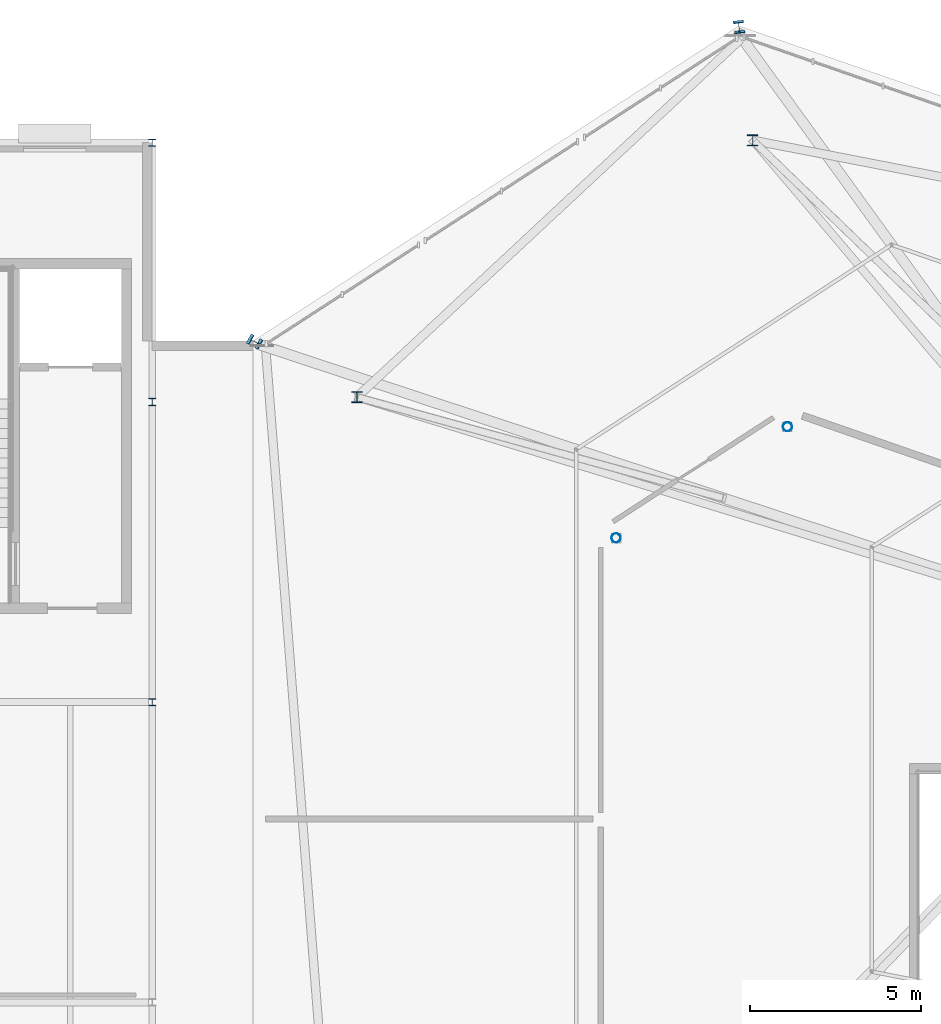
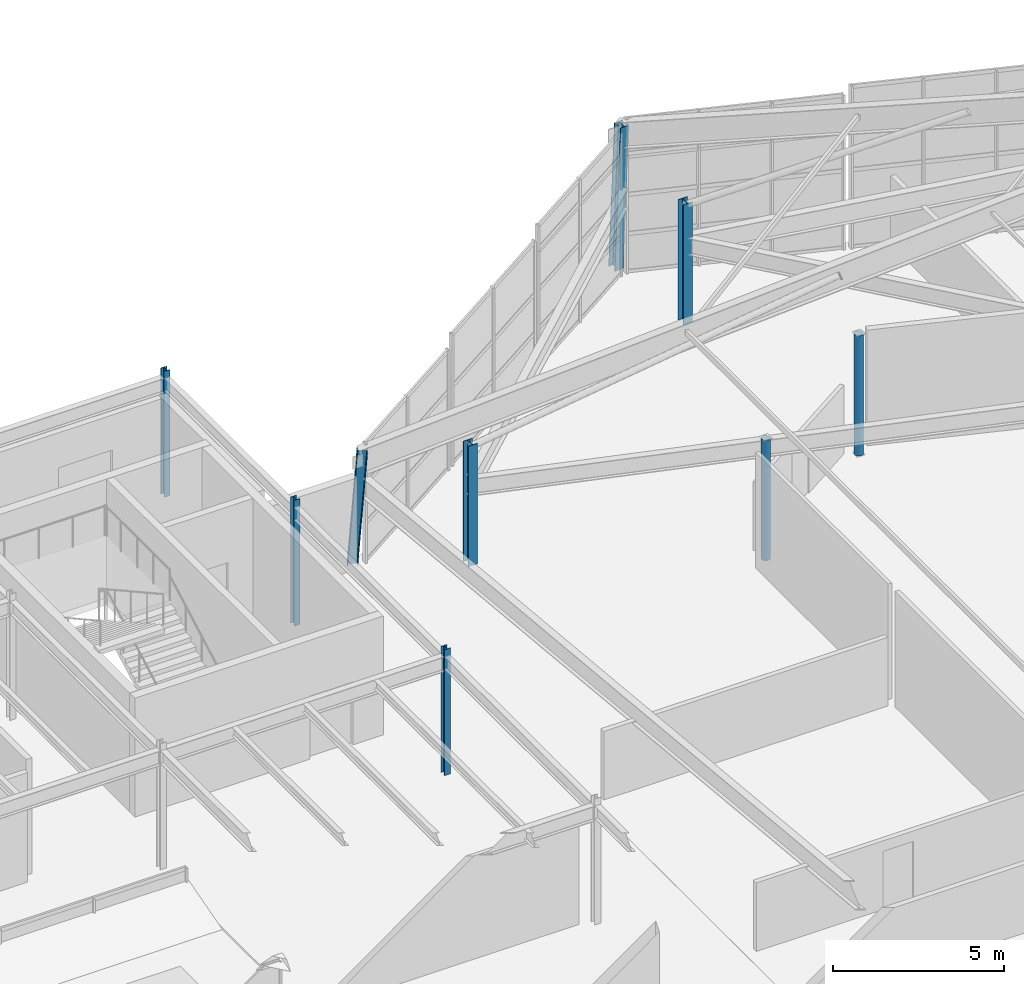
# One storey, part 8 of 50: 9 columns.
"""IFC4 building model written with IfcOpenShell, lengths in metres."""

from ifc_helpers import new_model, si_unit, direction, frame, origin, origin_2d, place, context, subcontext, project, spatial, hollow_circle, i_section, extrude, material, material_profile, profile_set, type_object, element, save


model = new_model("IFC4")

# Units and contexts
model_context = context("Model", 3, precision=1e-05, world=origin(), true_north=direction((0.0, 1.0)))
body_context = subcontext(model_context, "Body", "Model", "MODEL_VIEW")
ifc_project = project(units=[si_unit("LENGTHUNIT", "METRE"), si_unit("AREAUNIT", "SQUARE_METRE"), si_unit("VOLUMEUNIT", "CUBIC_METRE"), si_unit("PLANEANGLEUNIT", "RADIAN"), si_unit("MASSUNIT", "GRAM", prefix="KILO")], contexts=[model_context])

# Site, building, storey
site_placement = place(None, origin())
site = spatial("IfcSite", under=ifc_project, at=site_placement, CompositionType="ELEMENT")
building_placement = place(site_placement, origin())
building = spatial("IfcBuilding", under=site, at=building_placement, Name="Sarnbrook Museum", CompositionType="ELEMENT")
storey_placement = place(building_placement, frame((0.0, 0.0, 28.10009765625)))
storey = spatial("IfcBuildingStorey", under=building, at=storey_placement, Name="L05", CompositionType="ELEMENT", Elevation=28.10009765625)

# Columns
ifc_material_1 = material(Name="Structural Steel Hollow Section Grade C350L0 (AS/NZS 1163, fy = 350 MPa)", Category="steel")
ifc_material_profile_1 = material_profile(ifc_material_1, hollow_circle(Radius=0.136474609375, WallThickness=0.00927734375, at=origin_2d()), Name="273.1x9.3CHS")
ifc_profile_set_1 = profile_set([ifc_material_profile_1], Name="Structural Steel Hollow Section Grade C350L0 (AS/NZS 1163, fy = 350 MPa)")
column_type_1 = type_object("IfcColumnType", Name="COL-CHS273", PredefinedType="COLUMN", material=ifc_profile_set_1)
for number, where, z_axis, x_axis, name in (
    (1, (137.822509765625, 100.07080078125, 0.0), (0.0, 0.0, 1.0), (1.0, 0.0, 0.0), "Crystal Gallery Feature Column R2-6 L05"),
    (2, (132.800048828125, 96.81201171875, 0.0), (0.0, 0.0, 1.0), (1.0, 0.0, 0.0), "Crystal Gallery Feature Column R2-7 L05"),
):
    element("IfcColumn", number, at=place(storey_placement, frame(where, z_axis=z_axis, x_axis=x_axis)), inside=storey, type_object=column_type_1, Name=name, PredefinedType="COLUMN", context=body_context, shape_type="SweptSolid", body=[
        extrude(hollow_circle(Radius=0.136474609375, WallThickness=0.00927734375, at=origin_2d()), origin(), (0.0, 0.0, 1.0), 4.2998046875),
    ])
ifc_material_2 = material(Name="Structural Steel Grade 300PLUS (AS/NZS 3679.1, fy = 280 MPa for 17 < t <= 40 mm, 300 MPa for t <= 17 mm)", Category="steel")
ifc_material_profile_2 = material_profile(ifc_material_2, i_section(OverallWidth=0.205078125, OverallDepth=0.2099609375, WebThickness=0.00927734375, FlangeThickness=0.01416015625, FilletRadius=0.01025390625, at=origin_2d()), Name="200UC59.5")
ifc_profile_set_2 = profile_set([ifc_material_profile_2], Name="Structural Steel Grade 300PLUS (AS/NZS 3679.1, fy = 280 MPa for 17 < t <= 40 mm, 300 MPa for t <= 17 mm)")
column_type_2 = type_object("IfcColumnType", Name="COL-UC200", PredefinedType="COLUMN", material=ifc_profile_set_2)
for number, where, z_axis, x_axis, name in (
    (3, (119.199951171875, 92.0, 0.0), (0.0, 0.0, 1.0), (1.0, 0.0, 0.0), "Column 13-L L05"),
    (4, (119.199951171875, 100.800048828125, 0.0), (0.0, 0.0, 1.0), (1.0, 0.0, 0.0), "Column 13-M L05"),
    (5, (119.199951171875, 108.39990234375, 0.0), (0.0, 0.0, 1.0), (1.0, 0.0, 0.0), "Column 13-N L05"),
):
    element("IfcColumn", number, at=place(storey_placement, frame(where, z_axis=z_axis, x_axis=x_axis)), inside=storey, type_object=column_type_2, Name=name, PredefinedType="COLUMN", context=body_context, shape_type="SweptSolid", body=[
        extrude(i_section(OverallWidth=0.205078125, OverallDepth=0.2099609375, WebThickness=0.00927734375, FlangeThickness=0.01416015625, FilletRadius=0.01025390625, at=origin_2d()), origin(), (0.0, 0.0, 1.0), 4.5),
    ])
ifc_material_profile_3 = material_profile(ifc_material_2, i_section(OverallWidth=0.306884765625, OverallDepth=0.31494140625, WebThickness=0.011962890625, FlangeThickness=0.018798828125, FilletRadius=0.0166015625, at=origin_2d()), Name="310UC118")
ifc_profile_set_3 = profile_set([ifc_material_profile_3], Name="Structural Steel Grade 300PLUS (AS/NZS 3679.1, fy = 280 MPa for 17 < t <= 40 mm, 300 MPa for t <= 17 mm)")
column_type_3 = type_object("IfcColumnType", Name="COL-UC310", PredefinedType="COLUMN", material=ifc_profile_set_3)
column_1_placement = place(storey_placement, frame((136.397705078125, 111.8212890625, 0.034912109375), z_axis=(0.006378097242, -0.052734847487, 0.998588181252), x_axis=(0.992765244262, 0.120071519464, 0.0)))
element("IfcColumn", 6, at=column_1_placement, inside=storey, type_object=column_type_3, Name="Raking Crystal Rib Column V6 L05", PredefinedType="COLUMN", context=body_context, shape_type="SweptSolid", body=[
    extrude(i_section(OverallWidth=0.306884765625, OverallDepth=0.31494140625, WebThickness=0.011962890625, FlangeThickness=0.018798828125, FilletRadius=0.0166015625, at=origin_2d()), origin(), (0.0, 0.0, 1.0), 5.282470703125),
])
column_2_placement = place(storey_placement, frame((136.803955078125, 108.469482421875, 0.0), z_axis=(0.0, 0.0, 1.0), x_axis=(1.0, 0.0, 0.0)))
element("IfcColumn", 7, at=column_2_placement, inside=storey, type_object=column_type_3, Name="Crystal Hall Ring Column R1-6 L05", PredefinedType="COLUMN", context=body_context, shape_type="SweptSolid", body=[
    extrude(i_section(OverallWidth=0.306884765625, OverallDepth=0.31494140625, WebThickness=0.011962890625, FlangeThickness=0.018798828125, FilletRadius=0.0166015625, at=origin_2d()), origin(), (0.0, 0.0, 1.0), 4.2998046875),
])
column_3_placement = place(storey_placement, frame((122.166748046875, 102.58837890625, 0.034912109375), z_axis=(0.062500546589, -0.033942697615, 0.997467580904), x_axis=(0.477242042364, 0.878771889059, 0.0)))
element("IfcColumn", 8, at=column_3_placement, inside=storey, type_object=column_type_3, Name="Raking Crystal Rib Column V7 L05", PredefinedType="COLUMN", context=body_context, shape_type="SweptSolid", body=[
    extrude(i_section(OverallWidth=0.306884765625, OverallDepth=0.31494140625, WebThickness=0.011962890625, FlangeThickness=0.018798828125, FilletRadius=0.0166015625, at=origin_2d()), origin(), (0.0, 0.0, 1.0), 4.03515625),
])
column_4_placement = place(storey_placement, frame((125.199951171875, 100.940673828125, 0.0), z_axis=(0.0, 0.0, 1.0), x_axis=(1.0, 0.0, 0.0)))
element("IfcColumn", 9, at=column_4_placement, inside=storey, type_object=column_type_3, Name="Crystal Hall Ring Column R1-7 L05", PredefinedType="COLUMN", context=body_context, shape_type="SweptSolid", body=[
    extrude(i_section(OverallWidth=0.306884765625, OverallDepth=0.31494140625, WebThickness=0.011962890625, FlangeThickness=0.018798828125, FilletRadius=0.0166015625, at=origin_2d()), origin(), (0.0, 0.0, 1.0), 4.2998046875),
])

save(model, "model.ifc")
